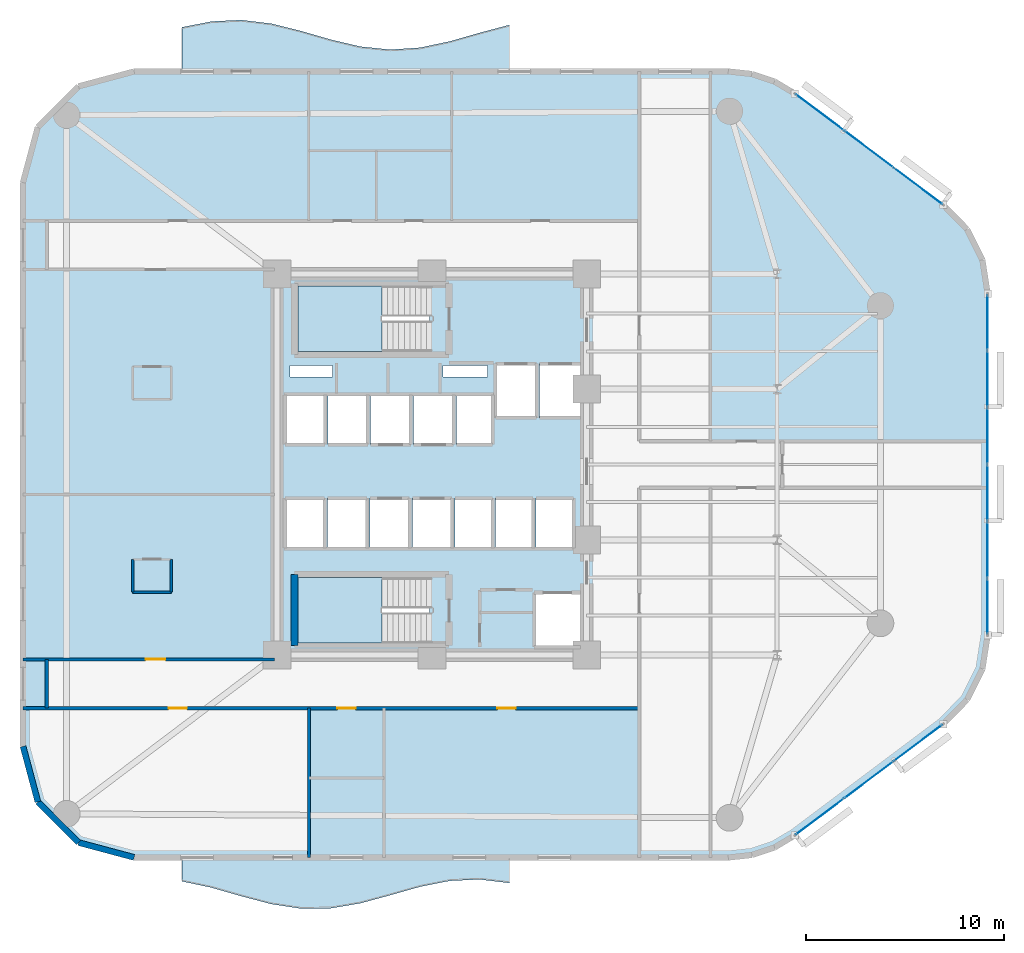
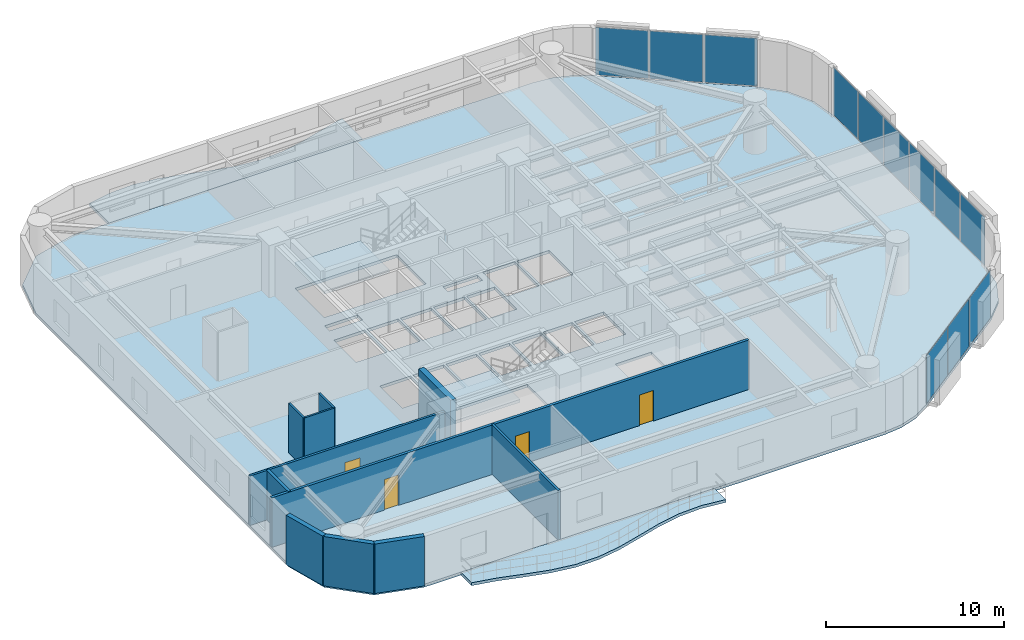
# One storey, part 9 of 15: 12 plates, 11 walls, 5 slabs, 4 doors, 4 openings, 5 elements without a shape of their own.
"""IFC4 building model written with IfcOpenShell, lengths in metres."""

from ifc_helpers import new_model, si_unit, direction, frame, frame_2d, origin, origin_2d, place, context, subcontext, project, spatial, polyline, rectangle, outline, extrude, material, layer, layer_set, type_object, element, fill, aggregate, save


model = new_model("IFC4")

# Units and contexts
model_context = context("Model", 3, precision=1e-05, world=origin(), true_north=direction((0.0, 1.0)))
body_context = subcontext(model_context, "Body", "Model", "MODEL_VIEW")
ifc_project = project(units=[si_unit("LENGTHUNIT", "METRE"), si_unit("AREAUNIT", "SQUARE_METRE"), si_unit("VOLUMEUNIT", "CUBIC_METRE"), si_unit("PLANEANGLEUNIT", "RADIAN"), si_unit("MASSUNIT", "GRAM", prefix="KILO")], contexts=[model_context])

# Site, building, storey
site_placement = place(None, origin())
site = spatial("IfcSite", under=ifc_project, at=site_placement, CompositionType="ELEMENT")
building_placement = place(site_placement, origin())
building = spatial("IfcBuilding", under=site, at=building_placement, Name="An Khanh Terracotta Commons", CompositionType="ELEMENT")
storey_placement = place(building_placement, frame((0.0, 0.0, 86.300048828125)))
storey = spatial("IfcBuildingStorey", under=building, at=storey_placement, Name="L22", CompositionType="ELEMENT", Elevation=86.300048828125)

# Curtain wall, plates
ifc_material_1 = material(Name="Anodised Aluminium 6063-T6", Category="aluminium")
ifc_layer_1 = layer(ifc_material_1, 0.199951171875, Name="Anodised Aluminium 6063-T6")
ifc_layer_set_1 = layer_set([ifc_layer_1], Name="Anodised Aluminium 6063-T6")
curtain_wall_type = type_object("IfcCurtainWallType", Name="CW-SYS-02", PredefinedType="USERDEFINED", material=ifc_layer_set_1)
curtain_wall_1_placement = place(storey_placement, origin())
curtain_wall_1 = element("IfcCurtainWall", 1, at=curtain_wall_1_placement, inside=storey, type_object=curtain_wall_type, Name="L22 CW-02 Unitised Curtain Wall CW-L22-08", ObjectType="UNITISED CURTAIN WALL", PredefinedType="USERDEFINED")
ifc_material_2 = material(Name="Double Low-E Solar Control Glazing", Category="glass")
ifc_layer_2 = layer(ifc_material_2, 0.028076171875, Name="Double Low-E Solar Control Glazing")
ifc_layer_set_2 = layer_set([ifc_layer_2], Name="Double Low-E Solar Control Glazing")
plate_type = type_object("IfcPlateType", Name="CWP-IGU-28", PredefinedType="CURTAIN_PANEL", material=ifc_layer_set_2)
plate_1_placement = place(storey_placement, frame((48.951416015625, 6.263916015625, 0.06005859375), z_axis=(0.0, 0.0, 1.0), x_axis=(0.800012856594, 0.599982857492, 0.0)))
plate_1 = element("IfcPlate", 2, at=plate_1_placement, type_object=plate_type, Name="CW-02 panel 1.1", PredefinedType="CURTAIN_PANEL", context=body_context, shape_type="SweptSolid", body=[
    extrude(rectangle(XDim=3.006103515625, YDim=0.028076171875, at=origin_2d()), origin(), (0.0, 0.0, 1.0), 3.280029296875),
])
plate_2_placement = place(storey_placement, frame((51.426513671875, 8.1201171875, 0.06005859375), z_axis=(0.0, 0.0, 1.0), x_axis=(0.800012856594, 0.599982857492, 0.0)))
plate_2 = element("IfcPlate", 3, at=plate_2_placement, type_object=plate_type, Name="CW-02 panel 2.1", PredefinedType="CURTAIN_PANEL", context=body_context, shape_type="SweptSolid", body=[
    extrude(rectangle(XDim=3.041259765625, YDim=0.028076171875, at=origin_2d()), origin(), (0.0, 0.0, 1.0), 3.280029296875),
])
plate_3_placement = place(storey_placement, frame((53.901611328125, 9.97607421875, 0.06005859375), z_axis=(0.0, 0.0, 1.0), x_axis=(0.800012856594, 0.599982857492, 0.0)))
plate_3 = element("IfcPlate", 4, at=plate_3_placement, type_object=plate_type, Name="CW-02 panel 3.1", PredefinedType="CURTAIN_PANEL", context=body_context, shape_type="SweptSolid", body=[
    extrude(rectangle(XDim=3.006103515625, YDim=0.028076171875, at=origin_2d()), origin(), (0.0, 0.0, 1.0), 3.280029296875),
])
aggregate(curtain_wall_1, [plate_1, plate_2, plate_3])

curtain_wall_2_placement = place(storey_placement, origin())
curtain_wall_2 = element("IfcCurtainWall", 5, at=curtain_wall_2_placement, inside=storey, type_object=curtain_wall_type, Name="L22 CW-02 Unitised Curtain Wall CW-L22-12", ObjectType="UNITISED CURTAIN WALL", PredefinedType="USERDEFINED")
plate_4_placement = place(storey_placement, frame((57.39990234375, 16.850830078125, 0.06005859375), z_axis=(0.0, 0.0, 1.0), x_axis=(0.0, 1.0, 0.0)))
plate_4 = element("IfcPlate", 6, at=plate_4_placement, type_object=plate_type, Name="CW-02 panel 1.1", PredefinedType="CURTAIN_PANEL", context=body_context, shape_type="SweptSolid", body=[
    extrude(rectangle(XDim=2.76171875, YDim=0.028076171875, at=origin_2d()), origin(), (0.0, 0.0, 1.0), 3.280029296875),
])
plate_5_placement = place(storey_placement, frame((57.39990234375, 19.699951171875, 0.06005859375), z_axis=(0.0, 0.0, 1.0), x_axis=(0.0, 1.0, 0.0)))
plate_5 = element("IfcPlate", 7, at=plate_5_placement, type_object=plate_type, Name="CW-02 panel 2.1", PredefinedType="CURTAIN_PANEL", context=body_context, shape_type="SweptSolid", body=[
    extrude(rectangle(XDim=2.796630859375, YDim=0.028076171875, at=origin_2d()), origin(), (0.0, 0.0, 1.0), 3.280029296875),
])
plate_6_placement = place(storey_placement, frame((57.39990234375, 22.566650390625, 0.06005859375), z_axis=(0.0, 0.0, 1.0), x_axis=(0.0, 1.0, 0.0)))
plate_6 = element("IfcPlate", 8, at=plate_6_placement, type_object=plate_type, Name="CW-02 panel 3.1", PredefinedType="CURTAIN_PANEL", context=body_context, shape_type="SweptSolid", body=[
    extrude(rectangle(XDim=2.796630859375, YDim=0.028076171875, at=origin_2d()), origin(), (0.0, 0.0, 1.0), 3.280029296875),
])
plate_7_placement = place(storey_placement, frame((57.39990234375, 25.433349609375, 0.06005859375), z_axis=(0.0, 0.0, 1.0), x_axis=(0.0, 1.0, 0.0)))
plate_7 = element("IfcPlate", 9, at=plate_7_placement, type_object=plate_type, Name="CW-02 panel 4.1", PredefinedType="CURTAIN_PANEL", context=body_context, shape_type="SweptSolid", body=[
    extrude(rectangle(XDim=2.796630859375, YDim=0.028076171875, at=origin_2d()), origin(), (0.0, 0.0, 1.0), 3.280029296875),
])
plate_8_placement = place(storey_placement, frame((57.39990234375, 28.300048828125, 0.06005859375), z_axis=(0.0, 0.0, 1.0), x_axis=(0.0, 1.0, 0.0)))
plate_8 = element("IfcPlate", 10, at=plate_8_placement, type_object=plate_type, Name="CW-02 panel 5.1", PredefinedType="CURTAIN_PANEL", context=body_context, shape_type="SweptSolid", body=[
    extrude(rectangle(XDim=2.796630859375, YDim=0.028076171875, at=origin_2d()), origin(), (0.0, 0.0, 1.0), 3.280029296875),
])
plate_9_placement = place(storey_placement, frame((57.39990234375, 31.149169921875, 0.06005859375), z_axis=(0.0, 0.0, 1.0), x_axis=(0.0, 1.0, 0.0)))
plate_9 = element("IfcPlate", 11, at=plate_9_placement, type_object=plate_type, Name="CW-02 panel 6.1", PredefinedType="CURTAIN_PANEL", context=body_context, shape_type="SweptSolid", body=[
    extrude(rectangle(XDim=2.76171875, YDim=0.028076171875, at=origin_2d()), origin(), (0.0, 0.0, 1.0), 3.280029296875),
])
aggregate(curtain_wall_2, [plate_4, plate_5, plate_6, plate_7, plate_8, plate_9])

curtain_wall_3_placement = place(storey_placement, origin())
curtain_wall_3 = element("IfcCurtainWall", 12, at=curtain_wall_3_placement, inside=storey, type_object=curtain_wall_type, Name="L22 CW-02 Unitised Curtain Wall CW-L22-16", ObjectType="UNITISED CURTAIN WALL", PredefinedType="USERDEFINED")
plate_10_placement = place(storey_placement, frame((53.901611328125, 38.02392578125, 0.06005859375), z_axis=(0.0, 0.0, 1.0), x_axis=(-0.800012856594, 0.599982857492, 0.0)))
plate_10 = element("IfcPlate", 13, at=plate_10_placement, type_object=plate_type, Name="CW-02 panel 1.1", PredefinedType="CURTAIN_PANEL", context=body_context, shape_type="SweptSolid", body=[
    extrude(rectangle(XDim=3.006103515625, YDim=0.028076171875, at=origin_2d()), origin(), (0.0, 0.0, 1.0), 3.280029296875),
])
plate_11_placement = place(storey_placement, frame((51.426513671875, 39.8798828125, 0.06005859375), z_axis=(0.0, 0.0, 1.0), x_axis=(-0.800012856594, 0.599982857492, 0.0)))
plate_11 = element("IfcPlate", 14, at=plate_11_placement, type_object=plate_type, Name="CW-02 panel 2.1", PredefinedType="CURTAIN_PANEL", context=body_context, shape_type="SweptSolid", body=[
    extrude(rectangle(XDim=3.041259765625, YDim=0.028076171875, at=origin_2d()), origin(), (0.0, 0.0, 1.0), 3.280029296875),
])
plate_12_placement = place(storey_placement, frame((48.951416015625, 41.736083984375, 0.06005859375), z_axis=(0.0, 0.0, 1.0), x_axis=(-0.800012856594, 0.599982857492, 0.0)))
plate_12 = element("IfcPlate", 15, at=plate_12_placement, type_object=plate_type, Name="CW-02 panel 3.1", PredefinedType="CURTAIN_PANEL", context=body_context, shape_type="SweptSolid", body=[
    extrude(rectangle(XDim=3.006103515625, YDim=0.028076171875, at=origin_2d()), origin(), (0.0, 0.0, 1.0), 3.280029296875),
])
aggregate(curtain_wall_3, [plate_10, plate_11, plate_12])

# Slabs
ifc_material_3 = material(Name="Concrete C40/50", Category="concrete")
ifc_layer_3 = layer(ifc_material_3, 0.199951171875, Name="Concrete C40/50")
ifc_layer_set_3 = layer_set([ifc_layer_3], Name="Concrete C40/50")
slab_type_1 = type_object("IfcSlabType", Name="SLAB-BALC-200", PredefinedType="FLOOR", material=ifc_layer_set_3)
slab_1_placement = place(storey_placement, frame((0.0, 0.0, -0.199951171875)))
element("IfcSlab", 16, at=slab_1_placement, inside=storey, type_object=slab_type_1, Name="L22 S Sinusoidal Wave Balcony Slab", PredefinedType="FLOOR", context=body_context, shape_type="SweptSolid", body=[
    extrude(outline(polyline([(16.800048828125, 4.199951171875), (16.800048828125, 3.0), (18.300048828125, 2.681884765625), (19.800048828125, 2.251953125), (21.300048828125, 1.85498046875), (22.800048828125, 1.6259765625), (24.300048828125, 1.639892578125), (25.800048828125, 1.89306640625), (27.300048828125, 2.301025390625), (28.800048828125, 2.72509765625), (30.300048828125, 3.02294921875), (31.800048828125, 3.093994140625), (33.300048828125, 2.9140625), (33.300048828125, 4.199951171875), (16.800048828125, 4.199951171875)])), origin(), (0.0, 0.0, 1.0), 0.199951171875),
])
slab_2_placement = place(storey_placement, frame((0.0, 0.0, -0.199951171875)))
element("IfcSlab", 17, at=slab_2_placement, inside=storey, type_object=slab_type_1, Name="L22 N Sinusoidal Wave Balcony Slab", PredefinedType="FLOOR", context=body_context, shape_type="SweptSolid", body=[
    extrude(outline(polyline([(33.300048828125, 43.800048828125), (33.300048828125, 46.14501953125), (31.800048828125, 45.748046875), (30.300048828125, 45.318115234375), (28.800048828125, 45.0), (27.300048828125, 44.902099609375), (25.800048828125, 45.054931640625), (24.300048828125, 45.408935546875), (22.800048828125, 45.843994140625), (21.300048828125, 46.214111328125), (19.800048828125, 46.39404296875), (18.300048828125, 46.322998046875), (16.800048828125, 46.02490234375), (16.800048828125, 43.800048828125), (33.300048828125, 43.800048828125)])), origin(), (0.0, 0.0, 1.0), 0.199951171875),
])

# Stair, slab
ifc_material_4 = material(Name="Precast concrete C40/50", Category="concrete")
stair_type = type_object("IfcStairType", Name="STAIR-CORE-1550", PredefinedType="HALF_TURN_STAIR", material=ifc_material_4)
stair_1_placement = place(storey_placement, origin())
stair_1 = element("IfcStair", 18, at=stair_1_placement, inside=storey, type_object=stair_type, Name="L22 Core Smokeproof Exit Stair ST-01", PredefinedType="HALF_TURN_STAIR")
ifc_layer_4 = layer(ifc_material_3, 0.18994140625, Name="Concrete C40/50")
ifc_layer_set_4 = layer_set([ifc_layer_4], Name="Concrete C40/50")
slab_type_2 = type_object("IfcSlabType", Name="SLAB-LANDING-190", PredefinedType="LANDING", material=ifc_layer_set_4)
slab_3_placement = place(storey_placement, frame((0.0, 0.0, 1.599853515625)))
slab_3 = element("IfcSlab", 19, at=slab_3_placement, type_object=slab_type_2, Name="ST-01 landing 1", PredefinedType="LANDING", context=body_context, shape_type="SweptSolid", body=[
    extrude(outline(polyline([(26.889892578125, 33.0), (22.64990234375, 33.0), (22.64990234375, 29.699951171875), (26.889892578125, 29.699951171875), (26.889892578125, 33.0)])), origin(), (0.0, 0.0, 1.0), 0.2001953125),
])
aggregate(stair_1, [slab_3])

stair_2_placement = place(storey_placement, origin())
stair_2 = element("IfcStair", 20, at=stair_2_placement, inside=storey, type_object=stair_type, Name="L22 Core Smokeproof Exit Stair ST-02", PredefinedType="HALF_TURN_STAIR")
slab_4_placement = place(storey_placement, frame((0.0, 0.0, 1.599853515625)))
slab_4 = element("IfcSlab", 21, at=slab_4_placement, type_object=slab_type_2, Name="ST-02 landing 1", PredefinedType="LANDING", context=body_context, shape_type="SweptSolid", body=[
    extrude(outline(polyline([(26.889892578125, 18.300048828125), (22.64990234375, 18.300048828125), (22.64990234375, 15.0), (26.889892578125, 15.0), (26.889892578125, 18.300048828125)])), origin(), (0.0, 0.0, 1.0), 0.2001953125),
])
aggregate(stair_2, [slab_4])

# Slab
ifc_layer_5 = layer(ifc_material_3, 0.199951171875, Name="Concrete C40/50")
ifc_layer_set_5 = layer_set([ifc_layer_5], Name="Concrete C40/50")
slab_type_3 = type_object("IfcSlabType", Name="SLAB-TYP-200", PredefinedType="FLOOR", material=ifc_layer_set_5)
slab_5_placement = place(storey_placement, frame((0.0, 0.0, -0.199951171875)))
element("IfcSlab", 22, at=slab_5_placement, inside=storey, type_object=slab_type_3, Name="L22 Structural Floor Slab", PredefinedType="FLOOR", context=body_context, shape_type="SweptSolid", body=[
    extrude(outline(polyline([(8.800048828125, 9.800048828125), (9.550048828125, 7.0), (11.60009765625, 4.949951171875), (14.39990234375, 4.199951171875), (44.3330078125, 4.199951171875), (45.52490234375, 4.327880859375), (46.6630859375, 4.70703125), (47.693115234375, 5.320068359375), (55.159912109375, 10.919921875), (56.364013671875, 12.154052734375), (57.135009765625, 13.696044921875), (57.39990234375, 15.39990234375), (57.39990234375, 32.60009765625), (57.135009765625, 34.303955078125), (56.364013671875, 35.845947265625), (55.159912109375, 37.080078125), (47.693115234375, 42.679931640625), (46.6630859375, 43.29296875), (45.52490234375, 43.672119140625), (44.3330078125, 43.800048828125), (14.39990234375, 43.800048828125), (11.60009765625, 43.050048828125), (9.550048828125, 41.0), (8.800048828125, 38.199951171875), (8.800048828125, 9.800048828125)]), holes=[polyline([(22.64990234375, 29.699951171875), (29.27001953125, 29.699951171875), (29.27001953125, 33.0), (22.64990234375, 33.0), (22.64990234375, 29.699951171875)]), polyline([(22.64990234375, 15.0), (29.27001953125, 15.0), (29.27001953125, 18.300048828125), (22.64990234375, 18.300048828125), (22.64990234375, 15.0)]), polyline([(32.60009765625, 26.35009765625), (34.679931640625, 26.35009765625), (34.679931640625, 29.080078125), (32.60009765625, 29.080078125), (32.60009765625, 26.35009765625)]), polyline([(34.820068359375, 26.35009765625), (36.89990234375, 26.35009765625), (36.89990234375, 29.080078125), (34.820068359375, 29.080078125), (34.820068359375, 26.35009765625)]), polyline([(34.550048828125, 14.800048828125), (36.89990234375, 14.800048828125), (36.89990234375, 17.550048828125), (34.550048828125, 17.550048828125), (34.550048828125, 14.800048828125)]), polyline([(22.0, 25.0), (24.02001953125, 25.0), (24.02001953125, 27.5), (22.0, 27.5), (22.0, 25.0)]), polyline([(24.159912109375, 25.0), (26.179931640625, 25.0), (26.179931640625, 27.5), (24.159912109375, 27.5), (24.159912109375, 25.0)]), polyline([(22.0, 19.800048828125), (24.0, 19.800048828125), (24.0, 22.300048828125), (22.0, 22.300048828125), (22.0, 19.800048828125)]), polyline([(24.139892578125, 19.800048828125), (26.139892578125, 19.800048828125), (26.139892578125, 22.300048828125), (24.139892578125, 22.300048828125), (24.139892578125, 19.800048828125)]), polyline([(26.320068359375, 25.0), (28.340087890625, 25.0), (28.340087890625, 27.5), (26.320068359375, 27.5), (26.320068359375, 25.0)]), polyline([(28.47998046875, 25.0), (30.5, 25.0), (30.5, 27.5), (28.47998046875, 27.5), (28.47998046875, 25.0)]), polyline([(26.280029296875, 19.800048828125), (28.280029296875, 19.800048828125), (28.280029296875, 22.300048828125), (26.280029296875, 22.300048828125), (26.280029296875, 19.800048828125)]), polyline([(28.419921875, 19.800048828125), (30.419921875, 19.800048828125), (30.419921875, 22.300048828125), (28.419921875, 22.300048828125), (28.419921875, 19.800048828125)]), polyline([(30.639892578125, 25.0), (32.4599609375, 25.0), (32.4599609375, 27.5), (30.639892578125, 27.5), (30.639892578125, 25.0)]), polyline([(30.56005859375, 19.800048828125), (32.4599609375, 19.800048828125), (32.4599609375, 22.300048828125), (30.56005859375, 22.300048828125), (30.56005859375, 19.800048828125)]), polyline([(32.60009765625, 19.800048828125), (34.5, 19.800048828125), (34.5, 22.300048828125), (32.60009765625, 22.300048828125), (32.60009765625, 19.800048828125)]), polyline([(34.639892578125, 19.800048828125), (36.5400390625, 19.800048828125), (36.5400390625, 22.300048828125), (34.639892578125, 22.300048828125), (34.639892578125, 19.800048828125)]), polyline([(22.25, 28.419921875), (24.39990234375, 28.419921875), (24.39990234375, 28.97998046875), (22.25, 28.97998046875), (22.25, 28.419921875)]), polyline([(29.949951171875, 28.419921875), (32.199951171875, 28.419921875), (32.199951171875, 28.97998046875), (29.949951171875, 28.97998046875), (29.949951171875, 28.419921875)])]), origin(), (0.0, 0.0, 1.0), 0.199951171875),
])

# Wall, openings, doors
ifc_material_5 = material(Name="Fire-Rated Gypsum Board on Steel Stud", Category="steel")
ifc_layer_6 = layer(ifc_material_5, 0.179931640625, Name="Fire-Rated Gypsum Board on Steel Stud")
ifc_layer_set_6 = layer_set([ifc_layer_6], Name="Fire-Rated Gypsum Board on Steel Stud")
wall_type_1 = type_object("IfcWallType", Name="WALL-CORR-180", PredefinedType="PARTITIONING", material=ifc_layer_set_6)
wall_1_placement = place(storey_placement, frame((8.800048828125, 11.719970703125, 0.0), z_axis=(0.0, 0.0, 1.0), x_axis=(1.0, 0.0, 0.0)))
wall_1 = element("IfcWall", 23, at=wall_1_placement, inside=storey, type_object=wall_type_1, Name="L22 Interior Partition IW-L22-E002", PredefinedType="PARTITIONING", context=body_context, shape_type="SweptSolid", body=[
    extrude(rectangle(XDim=31.050048828125, YDim=0.179931640625, at=frame_2d((15.52490234375, 0.0))), origin(), (0.0, 0.0, 1.0), 3.39990234375),
])
opening_1_placement = place(wall_1_placement, frame((15.840087890625, 0.0, 0.0)))
opening_1 = element("IfcOpeningElement", 24, at=opening_1_placement, cuts=wall_1, Name="Opening D-RM", PredefinedType="OPENING", context=body_context, shape_type="SweptSolid", body=[
    extrude(rectangle(XDim=0.919921875, YDim=2.10009765625, at=frame_2d((0.4599609375, 1.050048828125))), frame((0.0, 0.099853515625, 0.0), z_axis=(0.0, -1.0, 0.0), x_axis=(1.0, 0.0, 0.0)), (0.0, 0.0, 1.0), 0.199951171875),
])
opening_2_placement = place(wall_1_placement, frame((7.340087890625, 0.0, 0.0)))
opening_2 = element("IfcOpeningElement", 25, at=opening_2_placement, cuts=wall_1, Name="Opening D-RM", PredefinedType="OPENING", context=body_context, shape_type="SweptSolid", body=[
    extrude(rectangle(XDim=0.919921875, YDim=2.10009765625, at=frame_2d((0.4599609375, 1.050048828125))), frame((0.0, 0.099853515625, 0.0), z_axis=(0.0, -1.0, 0.0), x_axis=(1.0, 0.0, 0.0)), (0.0, 0.0, 1.0), 0.199951171875),
])
opening_3_placement = place(wall_1_placement, frame((23.905029296875, 0.0, 0.0)))
opening_3 = element("IfcOpeningElement", 26, at=opening_3_placement, cuts=wall_1, Name="Opening D-RM", PredefinedType="OPENING", context=body_context, shape_type="SweptSolid", body=[
    extrude(rectangle(XDim=0.919921875, YDim=2.10009765625, at=frame_2d((0.4599609375, 1.050048828125))), frame((0.0, 0.099853515625, 0.0), z_axis=(0.0, -1.0, 0.0), x_axis=(1.0, 0.0, 0.0)), (0.0, 0.0, 1.0), 0.199951171875),
])
ifc_material_6 = material(Name="Engineered Hardwood Timber Leaf", Category="wood")
door_type_1 = type_object("IfcDoorType", Name="DOOR-INT-920", OperationType="NOTDEFINED", PredefinedType="DOOR", material=ifc_material_6)
door_1_placement = place(opening_1_placement, origin())
door_1 = element("IfcDoor", 27, at=door_1_placement, inside=storey, type_object=door_type_1, Name="L22 HKP Housekeeping Linen Store Door", OperationType="SINGLE_SWING_LEFT", OverallHeight=2.10009765625, OverallWidth=0.919921875, PredefinedType="DOOR", context=body_context, shape_type="SweptSolid", body=[
    extrude(rectangle(XDim=0.919921875, YDim=2.10009765625, at=frame_2d((0.4599609375, 1.050048828125))), frame((0.0, 0.02490234375, 0.0), z_axis=(0.0, -1.0, 0.0), x_axis=(1.0, 0.0, 0.0)), (0.0, 0.0, 1.0), 0.050048828125),
])
fill(opening_1, door_1)
door_2_placement = place(opening_2_placement, origin())
door_2 = element("IfcDoor", 28, at=door_2_placement, inside=storey, type_object=door_type_1, Name="L22 SW1 Academic Seminar Room Door", OperationType="SINGLE_SWING_LEFT", OverallHeight=2.10009765625, OverallWidth=0.919921875, PredefinedType="DOOR", context=body_context, shape_type="SweptSolid", body=[
    extrude(rectangle(XDim=0.919921875, YDim=2.10009765625, at=frame_2d((0.4599609375, 1.050048828125))), frame((0.0, 0.02490234375, 0.0), z_axis=(0.0, -1.0, 0.0), x_axis=(1.0, 0.0, 0.0)), (0.0, 0.0, 1.0), 0.050048828125),
])
fill(opening_2, door_2)
door_3_placement = place(opening_3_placement, origin())
door_3 = element("IfcDoor", 29, at=door_3_placement, inside=storey, type_object=door_type_1, Name="L22 SWE Music Practice Room Door", OperationType="SINGLE_SWING_RIGHT", OverallHeight=2.10009765625, OverallWidth=0.919921875, PredefinedType="DOOR", context=body_context, shape_type="SweptSolid", body=[
    extrude(rectangle(XDim=0.919921875, YDim=2.10009765625, at=frame_2d((0.4599609375, 1.050048828125))), frame((0.0, 0.02490234375, 0.0), z_axis=(0.0, -1.0, 0.0), x_axis=(1.0, 0.0, 0.0)), (0.0, 0.0, 1.0), 0.050048828125),
])
fill(opening_3, door_3)

# Walls
wall_2_placement = place(storey_placement, frame((10.0, 11.719970703125, 0.0), z_axis=(0.0, 0.0, 1.0), x_axis=(0.0, 1.0, 0.0)))
element("IfcWall", 30, at=wall_2_placement, inside=storey, type_object=wall_type_1, Name="L22 Interior Partition IW-L22-E010", PredefinedType="PARTITIONING", context=body_context, shape_type="SweptSolid", body=[
    extrude(rectangle(XDim=2.4599609375, YDim=0.179931640625, at=frame_2d((1.22998046875, 0.0))), origin(), (0.0, 0.0, 1.0), 3.39990234375),
])
ifc_layer_7 = layer(ifc_material_4, 0.300048828125, Name="Precast concrete C40/50")
ifc_layer_set_7 = layer_set([ifc_layer_7], Name="Precast concrete C40/50")
wall_type_2 = type_object("IfcWallType", Name="WALL-EXT-300", PredefinedType="SOLIDWALL", material=ifc_layer_set_7)
wall_3_placement = place(storey_placement, frame((8.800048828125, 9.800048828125, 0.0), z_axis=(0.0, 0.0, 1.0), x_axis=(0.258731875344, -0.96594917914, 0.0)))
element("IfcWall", 31, at=wall_3_placement, inside=storey, type_object=wall_type_2, Name="L22 Insulated Terracotta Exterior Wall 1", PredefinedType="SOLIDWALL", context=body_context, shape_type="SweptSolid", body=[
    extrude(rectangle(XDim=2.898681640625, YDim=0.300048828125, at=frame_2d((1.44921875, 0.0))), origin(), (0.0, 0.0, 1.0), 3.39990234375),
])
wall_4_placement = place(storey_placement, frame((9.550048828125, 7.0, 0.0), z_axis=(0.0, 0.0, 1.0), x_axis=(0.707106781187, -0.707106781187, 0.0)))
element("IfcWall", 32, at=wall_4_placement, inside=storey, type_object=wall_type_2, Name="L22 Insulated Terracotta Exterior Wall 2", PredefinedType="SOLIDWALL", context=body_context, shape_type="SweptSolid", body=[
    extrude(rectangle(XDim=2.899169921875, YDim=0.300048828125, at=frame_2d((1.44970703125, 0.0))), origin(), (0.0, 0.0, 1.0), 3.39990234375),
])
wall_5_placement = place(storey_placement, frame((11.60009765625, 4.949951171875, 0.0), z_axis=(0.0, 0.0, 1.0), x_axis=(0.965943540406, -0.258752926066, 0.0)))
element("IfcWall", 33, at=wall_5_placement, inside=storey, type_object=wall_type_2, Name="L22 Insulated Terracotta Exterior Wall 3", PredefinedType="SOLIDWALL", context=body_context, shape_type="SweptSolid", body=[
    extrude(rectangle(XDim=2.8984375, YDim=0.300048828125, at=frame_2d((1.44921875, 0.0))), origin(), (0.0, 0.0, 1.0), 3.39990234375),
])

# Wall, opening, door
ifc_material_7 = material(Name="Acoustic Gypsum Board Partition")
ifc_layer_8 = layer(ifc_material_7, 0.14990234375, Name="Acoustic Gypsum Board Partition")
ifc_layer_set_8 = layer_set([ifc_layer_8], Name="Acoustic Gypsum Board Partition")
wall_type_3 = type_object("IfcWallType", Name="WALL-PART-150", PredefinedType="PARTITIONING", material=ifc_layer_set_8)
wall_6_placement = place(storey_placement, frame((8.800048828125, 14.179931640625, 0.0), z_axis=(0.0, 0.0, 1.0), x_axis=(1.0, 0.0, 0.0)))
wall_6 = element("IfcWall", 34, at=wall_6_placement, inside=storey, type_object=wall_type_3, Name="L22 Interior Partition IW-L22-E003", PredefinedType="PARTITIONING", context=body_context, shape_type="SweptSolid", body=[
    extrude(rectangle(XDim=12.679931640625, YDim=0.14990234375, at=frame_2d((6.33984375, 0.0))), origin(), (0.0, 0.0, 1.0), 3.39990234375),
])
opening_4_placement = place(wall_6_placement, frame((6.179931640625, 0.0, 0.0)))
opening_4 = element("IfcOpeningElement", 35, at=opening_4_placement, cuts=wall_6, Name="Opening D-UN", PredefinedType="OPENING", context=body_context, shape_type="SweptSolid", body=[
    extrude(rectangle(XDim=1.0, YDim=2.14990234375, at=frame_2d((0.5, 1.074951171875))), frame((0.0, 0.0849609375, 0.0), z_axis=(0.0, -1.0, 0.0), x_axis=(1.0, 0.0, 0.0)), (0.0, 0.0, 1.0), 0.169921875),
])
ifc_material_8 = material(Name="Solid-Core Hardwood Acoustic Fire Door", Category="wood")
door_type_2 = type_object("IfcDoorType", Name="DOOR-UNIT-1000", OperationType="NOTDEFINED", PredefinedType="DOOR", material=ifc_material_8)
door_4_placement = place(opening_4_placement, origin())
door_4 = element("IfcDoor", 36, at=door_4_placement, inside=storey, type_object=door_type_2, Name="L22 WW1 Kitchenette and Studio Apartment Door", OperationType="SINGLE_SWING_LEFT", OverallHeight=2.14990234375, OverallWidth=1.0, PredefinedType="DOOR", context=body_context, shape_type="SweptSolid", body=[
    extrude(rectangle(XDim=1.0, YDim=2.14990234375, at=frame_2d((0.5, 1.074951171875))), frame((0.0, 0.02490234375, 0.0), z_axis=(0.0, -1.0, 0.0), x_axis=(1.0, 0.0, 0.0)), (0.0, 0.0, 1.0), 0.050048828125),
])
fill(opening_4, door_4)

# Walls
wall_7_placement = place(storey_placement, frame((23.199951171875, 4.199951171875, 0.0), z_axis=(0.0, 0.0, 1.0), x_axis=(0.0, 1.0, 0.0)))
element("IfcWall", 37, at=wall_7_placement, inside=storey, type_object=wall_type_3, Name="L22 Interior Partition IW-L22-E012", PredefinedType="PARTITIONING", context=body_context, shape_type="SweptSolid", body=[
    extrude(rectangle(XDim=7.52001953125, YDim=0.14990234375, at=frame_2d((3.760009765625, 0.0))), origin(), (0.0, 0.0, 1.0), 3.39990234375),
])
ifc_material_9 = material(Name="Concrete C50/60", Category="concrete")
ifc_layer_9 = layer(ifc_material_9, 0.35009765625, Name="Concrete C50/60")
ifc_layer_set_9 = layer_set([ifc_layer_9], Name="Concrete C50/60")
wall_type_4 = type_object("IfcWallType", Name="WALL-SHAFT-350", PredefinedType="SOLIDWALL", material=ifc_layer_set_9)
wall_8_placement = place(storey_placement, frame((22.47998046875, 14.889892578125, 0.0), z_axis=(0.0, 0.0, 1.0), x_axis=(0.0, 1.0, 0.0)))
element("IfcWall", 38, at=wall_8_placement, inside=storey, type_object=wall_type_4, Name="L22 Core Wall STW-L22-S-W", PredefinedType="SOLIDWALL", context=body_context, shape_type="SweptSolid", body=[
    extrude(rectangle(XDim=3.580078125, YDim=0.35009765625, at=frame_2d((1.7900390625, 0.0))), origin(), (0.0, 0.0, 1.0), 3.39990234375),
])
ifc_material_10 = material(Name="Moisture-Resistant Cement Board Partition")
ifc_layer_10 = layer(ifc_material_10, 0.1201171875, Name="Moisture-Resistant Cement Board Partition")
ifc_layer_set_10 = layer_set([ifc_layer_10], Name="Moisture-Resistant Cement Board Partition")
wall_type_5 = type_object("IfcWallType", Name="WALL-WET-120", PredefinedType="PARTITIONING", material=ifc_layer_set_10)
wall_9_placement = place(storey_placement, frame((16.27490234375, 17.56494140625, 0.0), z_axis=(0.0, 0.0, 1.0), x_axis=(-1.0, 0.0, 0.0)))
element("IfcWall", 39, at=wall_9_placement, inside=storey, type_object=wall_type_5, Name="L22 Interior Partition IW-L22-WW1-BS", PredefinedType="PARTITIONING", context=body_context, shape_type="SweptSolid", body=[
    extrude(rectangle(XDim=1.949951171875, YDim=0.1201171875, at=frame_2d((0.97509765625, 0.0))), origin(), (0.0, 0.0, 1.0), 3.39990234375),
])
for number, where, z_axis, x_axis, name in (
    (40, (14.324951171875, 19.215087890625, 0.0), (0.0, 0.0, 1.0), (0.0, -1.0, 0.0), "L22 Interior Partition IW-L22-WW1-BW"),
    (41, (16.27490234375, 17.56494140625, 0.0), (0.0, 0.0, 1.0), (0.0, 1.0, 0.0), "L22 Interior Partition IW-L22-WW1-BE"),
):
    element("IfcWall", number, at=place(storey_placement, frame(where, z_axis=z_axis, x_axis=x_axis)), inside=storey, type_object=wall_type_5, Name=name, PredefinedType="PARTITIONING", context=body_context, shape_type="SweptSolid", body=[
        extrude(rectangle(XDim=1.650146484375, YDim=0.1201171875, at=frame_2d((0.8251953125, 0.0))), origin(), (0.0, 0.0, 1.0), 3.39990234375),
    ])

save(model, "model.ifc")
